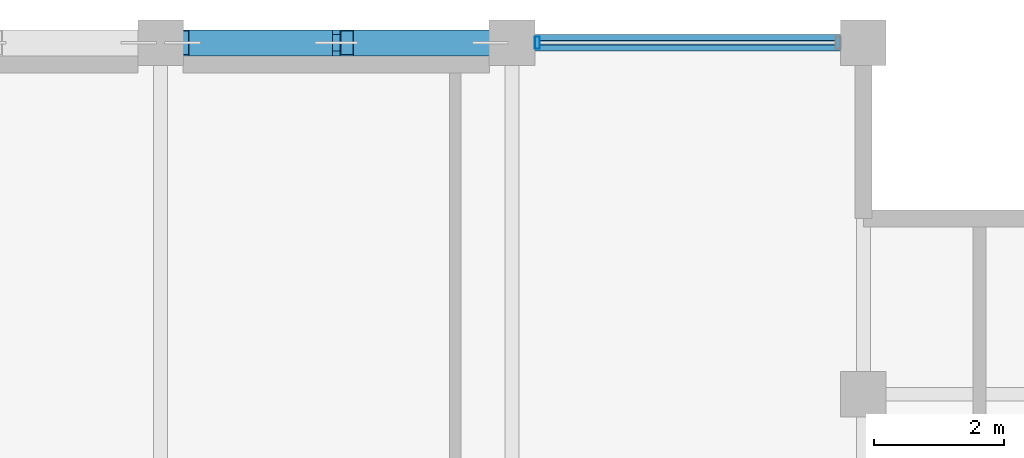
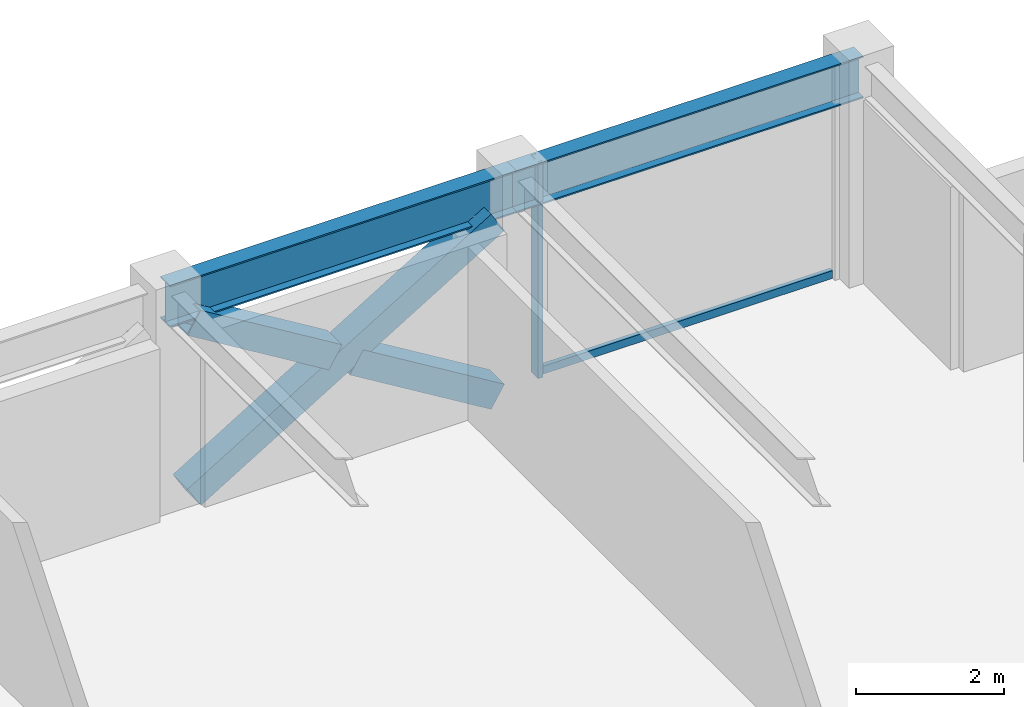
# One storey, part 20 of 31: 5 members, 2 beams, 1 element without a shape of its own.
"""IFC4 building model written with IfcOpenShell, lengths in metres."""

from ifc_helpers import new_model, si_unit, direction, frame, origin, origin_2d, place, context, subcontext, project, spatial, hollow_rectangle, i_section, extrude, material, layer, layer_set, material_profile, profile_set, type_object, element, aggregate, save


model = new_model("IFC4")

# Units and contexts
model_context = context("Model", 3, precision=1e-05, world=origin(), true_north=direction((0.0, 1.0)))
body_context = subcontext(model_context, "Body", "Model", "MODEL_VIEW")
ifc_project = project(units=[si_unit("LENGTHUNIT", "METRE"), si_unit("AREAUNIT", "SQUARE_METRE"), si_unit("VOLUMEUNIT", "CUBIC_METRE"), si_unit("PLANEANGLEUNIT", "RADIAN"), si_unit("MASSUNIT", "GRAM", prefix="KILO")], contexts=[model_context])

# Site, building, storey
site_placement = place(None, origin())
site = spatial("IfcSite", under=ifc_project, at=site_placement, CompositionType="ELEMENT")
building_placement = place(site_placement, origin())
building = spatial("IfcBuilding", under=site, at=building_placement, Name="Surkhivell Harbour Commons", CompositionType="ELEMENT")
storey_placement = place(building_placement, frame((0.0, 0.0, 266.25)))
storey = spatial("IfcBuildingStorey", under=building, at=storey_placement, Name="L69", CompositionType="ELEMENT", Elevation=266.25)

# Beams
ifc_material_1 = material(Name="Steel S355", Category="steel")
ifc_material_profile_1 = material_profile(ifc_material_1, i_section(OverallWidth=0.256103515625, OverallDepth=0.693115234375, WebThickness=0.014404296875, FlangeThickness=0.023681640625, at=origin_2d()), Name="UB686x254x170")
ifc_profile_set_1 = profile_set([ifc_material_profile_1], Name="Steel S355")
beam_type = type_object("IfcBeamType", Name="BM-SPN-686", PredefinedType="SPANDREL", material=ifc_profile_set_1)
beam_1_placement = place(storey_placement, frame((0.0, 25.89990234375, 3.223388671875), z_axis=(1.0, 0.0, 0.0), x_axis=(0.0, 1.0, 0.0)))
element("IfcBeam", 1, at=beam_1_placement, inside=storey, type_object=beam_type, Name="L69 Tube Spandrel (-0.0,25.9)", PredefinedType="SPANDREL", context=body_context, shape_type="SweptSolid", body=[
    extrude(i_section(OverallWidth=0.256103515625, OverallDepth=0.693115234375, WebThickness=0.014404296875, FlangeThickness=0.023681640625, at=origin_2d()), origin(), (0.0, 0.0, 1.0), 5.39990234375),
])
beam_2_placement = place(storey_placement, frame((5.39990234375, 25.89990234375, 3.223388671875), z_axis=(1.0, 0.0, 0.0), x_axis=(0.0, 1.0, 0.0)))
element("IfcBeam", 2, at=beam_2_placement, inside=storey, type_object=beam_type, Name="L69 Tube Spandrel (5.4,25.9)", PredefinedType="SPANDREL", context=body_context, shape_type="SweptSolid", body=[
    extrude(i_section(OverallWidth=0.256103515625, OverallDepth=0.693115234375, WebThickness=0.014404296875, FlangeThickness=0.023681640625, at=origin_2d()), origin(), (0.0, 0.0, 1.0), 5.400146484375),
])

# Curtain wall, members
ifc_material_2 = material(Name="Anodised pale-metal aluminium and insulated glazing", Category="aluminium")
ifc_layer = layer(ifc_material_2, 0.175048828125)
ifc_layer_set = layer_set([ifc_layer], Name="Anodised pale-metal aluminium and insulated glazing")
curtain_wall_type = type_object("IfcCurtainWallType", Name="CW-SYS-Z4", PredefinedType="NOTDEFINED", material=ifc_layer_set)
curtain_wall_placement = place(storey_placement, origin())
curtain_wall = element("IfcCurtainWall", 3, at=curtain_wall_placement, inside=storey, type_object=curtain_wall_type, Name="L69 Curtain Wall CW-L69-E07S1", PredefinedType="NOTDEFINED")
ifc_material_3 = material(Name="Anodised pale-metal aluminium alloy 6063-T6", Category="aluminium")
ifc_material_profile_2 = material_profile(ifc_material_3, hollow_rectangle(XDim=0.074951171875, YDim=0.18994140625, WallThickness=0.00390625, at=origin_2d()), Name="ALU-MULL-75x190")
ifc_profile_set_2 = profile_set([ifc_material_profile_2], Name="Anodised pale-metal aluminium alloy 6063-T6")
member_type_1 = type_object("IfcMemberType", Name="CWM-190", PredefinedType="MULLION", material=ifc_profile_set_2)
member_1_placement = place(storey_placement, frame((5.78955078125, 25.89990234375, 0.0), z_axis=(0.0, 0.0, 1.0), x_axis=(-1.0, 0.0, 0.0)))
member_1 = element("IfcMember", 4, at=member_1_placement, type_object=member_type_1, Name="CW-Z4 mullion 2", PredefinedType="MULLION", context=body_context, shape_type="SweptSolid", body=[
    extrude(hollow_rectangle(XDim=0.074951171875, YDim=0.18994140625, WallThickness=0.00390625, at=origin_2d()), origin(), (0.0, 0.0, 1.0), 3.570068359375),
])
ifc_material_4 = material(Name="Champagne anodised aluminium alloy 6063-T6", Category="aluminium")
ifc_material_profile_3 = material_profile(ifc_material_4, hollow_rectangle(XDim=0.070068359375, YDim=0.1298828125, WallThickness=0.00341796875, at=origin_2d()), Name="ALU-TRAN-70x130")
ifc_profile_set_3 = profile_set([ifc_material_profile_3], Name="Champagne anodised aluminium alloy 6063-T6")
member_type_2 = type_object("IfcMemberType", Name="CWT-130", PredefinedType="USERDEFINED", material=ifc_profile_set_3)
member_2_placement = place(storey_placement, frame((10.373046875, 25.89990234375, 0.06494140625), z_axis=(-1.0, 0.0, 0.0), x_axis=(0.0, -1.0, 0.0)))
member_2 = element("IfcMember", 5, at=member_2_placement, type_object=member_type_2, Name="CW-Z4 transom 1.1", ObjectType="TRANSOM", PredefinedType="USERDEFINED", context=body_context, shape_type="SweptSolid", body=[
    extrude(hollow_rectangle(XDim=0.070068359375, YDim=0.1298828125, WallThickness=0.00341796875, at=origin_2d()), origin(), (0.0, 0.0, 1.0), 4.546142578125),
])
aggregate(curtain_wall, [member_1, member_2])

# Members
ifc_material_5 = material(Name="Steel S460", Category="steel")
ifc_material_profile_4 = material_profile(ifc_material_5, hollow_rectangle(XDim=0.39990234375, YDim=0.39990234375, WallThickness=0.02001953125, at=origin_2d()), Name="SHS400x400x20")
ifc_profile_set_4 = profile_set([ifc_material_profile_4], Name="Steel S460")
member_type_3 = type_object("IfcMemberType", Name="MEM-BRC-SHS400", PredefinedType="BRACE", material=ifc_profile_set_4)
member_3_placement = place(storey_placement, frame((0.3349609375, 25.89990234375, 0.008056640625), z_axis=(0.854685454322, 0.0, 0.519146197299), x_axis=(0.0, 1.0, 0.0)))
element("IfcMember", 6, at=member_3_placement, inside=storey, type_object=member_type_3, Name="L69 Perimeter Mega-Brace MB- 04", PredefinedType="BRACE", context=body_context, shape_type="SweptSolid", body=[
    extrude(hollow_rectangle(XDim=0.39990234375, YDim=0.39990234375, WallThickness=0.02001953125, at=origin_2d()), origin(), (0.0, 0.0, 1.0), 5.5341796875),
])
member_4_placement = place(storey_placement, frame((5.06494140625, 25.89990234375, 0.008056640625), z_axis=(-0.854719912157, 0.0, 0.519089464122), x_axis=(0.0, -1.0, 0.0)))
element("IfcMember", 7, at=member_4_placement, inside=storey, type_object=member_type_3, Name="L69 Perimeter Mega-Brace MB- 05", PredefinedType="BRACE", context=body_context, shape_type="SweptSolid", body=[
    extrude(hollow_rectangle(XDim=0.39990234375, YDim=0.39990234375, WallThickness=0.02001953125, at=origin_2d()), origin(), (0.0, 0.0, 1.0), 2.574951171875),
])
member_5_placement = place(storey_placement, frame((2.535888671875, 25.89990234375, 1.544189453125), z_axis=(-0.854677846108, 0.0, 0.519158722716), x_axis=(0.0, -1.0, 0.0)))
element("IfcMember", 8, at=member_5_placement, inside=storey, type_object=member_type_3, Name="L69 Perimeter Mega-Brace MB- 06", PredefinedType="BRACE", context=body_context, shape_type="SweptSolid", body=[
    extrude(hollow_rectangle(XDim=0.39990234375, YDim=0.39990234375, WallThickness=0.02001953125, at=origin_2d()), origin(), (0.0, 0.0, 1.0), 2.5751953125),
])

save(model, "model.ifc")
